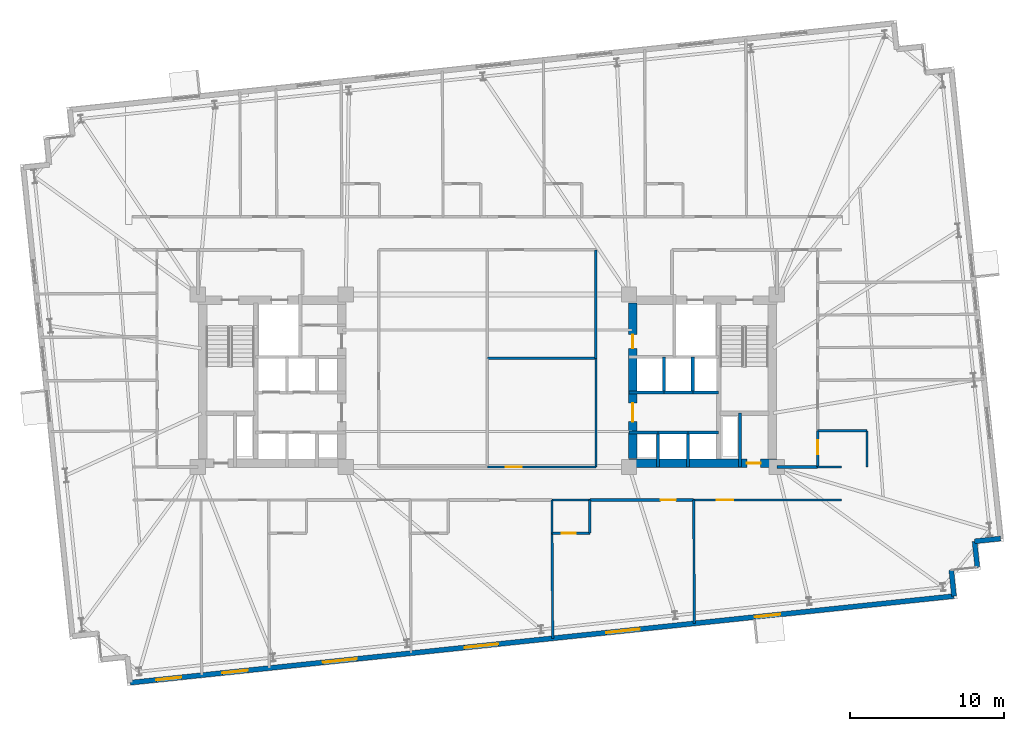
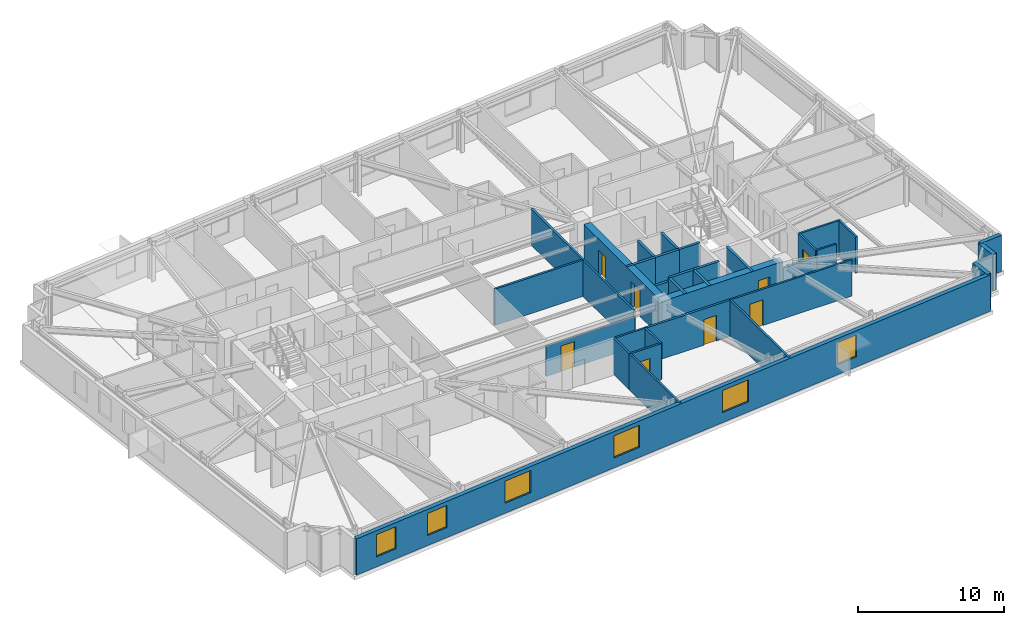
# One storey, part 14 of 19: 34 walls, 8 doors, 6 windows, 14 openings.
"""IFC4 building model written with IfcOpenShell, lengths in metres."""

from ifc_helpers import new_model, si_unit, direction, frame, frame_2d, origin, place, context, subcontext, project, spatial, rectangle, extrude, material, layer, layer_set, type_object, element, fill, save


model = new_model("IFC4")

# Units and contexts
model_context = context("Model", 3, precision=1e-05, world=origin(), true_north=direction((0.0, 1.0)))
body_context = subcontext(model_context, "Body", "Model", "MODEL_VIEW")
ifc_project = project(units=[si_unit("LENGTHUNIT", "METRE"), si_unit("AREAUNIT", "SQUARE_METRE"), si_unit("VOLUMEUNIT", "CUBIC_METRE"), si_unit("PLANEANGLEUNIT", "RADIAN"), si_unit("MASSUNIT", "GRAM", prefix="KILO")], contexts=[model_context])

# Site, building, storey
site_placement = place(None, origin())
site = spatial("IfcSite", under=ifc_project, at=site_placement, CompositionType="ELEMENT")
building_placement = place(site_placement, origin())
building = spatial("IfcBuilding", under=site, at=building_placement, Name="Qobustan Lattice House", CompositionType="ELEMENT")
storey_placement = place(building_placement, frame((0.0, 0.0, 82.35009765625)))
storey = spatial("IfcBuildingStorey", under=building, at=storey_placement, Name="L22", CompositionType="ELEMENT", Elevation=82.35009765625)

# Wall, opening, door
ifc_material_1 = material(Name="Concrete C60/75", Category="concrete")
ifc_layer_1 = layer(ifc_material_1, 0.56005859375)
ifc_layer_set_1 = layer_set([ifc_layer_1], Name="Concrete C60/75")
wall_type_1 = type_object("IfcWallType", Name="WAL-CORE-600", PredefinedType="SHEAR", material=ifc_layer_set_1)
wall_1_placement = place(storey_placement, frame((9.199951171875, -5.35009765625, 0.0), z_axis=(0.0, 0.0, 1.0), x_axis=(1.0, 0.0, 0.0)))
wall_1 = element("IfcWall", 1, at=wall_1_placement, inside=storey, type_object=wall_type_1, Name="L22 split-core shear wall CE-S", PredefinedType="SHEAR", context=body_context, shape_type="SweptSolid", body=[
    extrude(rectangle(XDim=9.60009765625, YDim=0.56005859375, at=frame_2d((4.800048828125, 0.0))), origin(), (0.0, 0.0, 1.0), 3.044921875),
])
opening_1_placement = place(wall_1_placement, frame((7.64990234375, 0.0, 0.0)))
opening_1 = element("IfcOpeningElement", 2, at=opening_1_placement, cuts=wall_1, Name="Opening RD-01", PredefinedType="OPENING", context=body_context, shape_type="SweptSolid", body=[
    extrude(rectangle(XDim=0.89990234375, YDim=2.10009765625, at=frame_2d((0.449951171875, 1.050048828125))), frame((0.0, 0.2900390625, 0.0), z_axis=(0.0, -1.0, 0.0), x_axis=(1.0, 0.0, 0.0)), (0.0, 0.0, 1.0), 0.580078125),
])
ifc_material_2 = material(Name="Persian walnut timber and steel frame door", Category="steel")
door_type_1 = type_object("IfcDoorType", Name="DOR-RISER-FD-900x2100", OperationType="NOTDEFINED", PredefinedType="DOOR", material=ifc_material_2)
door_1_placement = place(opening_1_placement, origin())
door_1 = element("IfcDoor", 3, at=door_1_placement, inside=storey, type_object=door_type_1, Name="L22 core service riser access door E", OperationType="SINGLE_SWING_RIGHT", OverallHeight=2.10009765625, OverallWidth=0.89990234375, PredefinedType="DOOR", context=body_context, shape_type="SweptSolid", body=[
    extrude(rectangle(XDim=0.89990234375, YDim=2.10009765625, at=frame_2d((0.449951171875, 1.050048828125))), frame((0.0, 0.02490234375, 0.0), z_axis=(0.0, -1.0, 0.0), x_axis=(1.0, 0.0, 0.0)), (0.0, 0.0, 1.0), 0.050048828125),
])
fill(opening_1, door_1)

# Wall, openings, doors
wall_2_placement = place(storey_placement, frame((9.449951171875, -5.050048828125, 0.0), z_axis=(0.0, 0.0, 1.0), x_axis=(0.0, 1.0, 0.0)))
wall_2 = element("IfcWall", 4, at=wall_2_placement, inside=storey, type_object=wall_type_1, Name="L22 split-core shear wall CE-W", PredefinedType="SHEAR", context=body_context, shape_type="SweptSolid", body=[
    extrude(rectangle(XDim=10.10009765625, YDim=0.56005859375, at=frame_2d((5.050048828125, 0.0))), origin(), (0.0, 0.0, 1.0), 3.044921875),
])
opening_2_placement = place(wall_2_placement, frame((7.14990234375, 0.0, 0.0)))
opening_2 = element("IfcOpeningElement", 5, at=opening_2_placement, cuts=wall_2, Name="Opening RD-01", PredefinedType="OPENING", context=body_context, shape_type="SweptSolid", body=[
    extrude(rectangle(XDim=0.89990234375, YDim=2.10009765625, at=frame_2d((0.449951171875, 1.050048828125))), frame((0.0, 0.2900390625, 0.0), z_axis=(0.0, -1.0, 0.0), x_axis=(1.0, 0.0, 0.0)), (0.0, 0.0, 1.0), 0.580078125),
])
opening_3_placement = place(wall_2_placement, frame((2.39990234375, 0.0, 0.0)))
opening_3 = element("IfcOpeningElement", 6, at=opening_3_placement, cuts=wall_2, Name="Opening FD-01", PredefinedType="OPENING", context=body_context, shape_type="SweptSolid", body=[
    extrude(rectangle(XDim=1.199951171875, YDim=2.14990234375, at=frame_2d((0.60009765625, 1.074951171875))), frame((0.0, 0.2900390625, 0.0), z_axis=(0.0, -1.0, 0.0), x_axis=(1.0, 0.0, 0.0)), (0.0, 0.0, 1.0), 0.580078125),
])
ifc_material_3 = material(Name="Persian walnut timber and steel frame door", Category="steel")
door_type_2 = type_object("IfcDoorType", Name="DOR-LOBBY-FD-1200x2150", OperationType="NOTDEFINED", PredefinedType="DOOR", material=ifc_material_3)
door_2_placement = place(opening_3_placement, origin())
door_2 = element("IfcDoor", 7, at=door_2_placement, inside=storey, type_object=door_type_2, Name="L22 East passenger lift lobby fire door", OperationType="SINGLE_SWING_LEFT", OverallHeight=2.14990234375, OverallWidth=1.199951171875, PredefinedType="DOOR", context=body_context, shape_type="SweptSolid", body=[
    extrude(rectangle(XDim=1.199951171875, YDim=2.14990234375, at=frame_2d((0.60009765625, 1.074951171875))), frame((0.0, 0.02490234375, 0.0), z_axis=(0.0, -1.0, 0.0), x_axis=(1.0, 0.0, 0.0)), (0.0, 0.0, 1.0), 0.050048828125),
])
fill(opening_3, door_2)
door_3_placement = place(opening_2_placement, origin())
door_3 = element("IfcDoor", 8, at=door_3_placement, inside=storey, type_object=door_type_1, Name="L22 Housekeeping linen store fire door", OperationType="SINGLE_SWING_RIGHT", OverallHeight=2.10009765625, OverallWidth=0.89990234375, PredefinedType="DOOR", context=body_context, shape_type="SweptSolid", body=[
    extrude(rectangle(XDim=0.89990234375, YDim=2.10009765625, at=frame_2d((0.449951171875, 1.050048828125))), frame((0.0, 0.02490234375, 0.0), z_axis=(0.0, -1.0, 0.0), x_axis=(1.0, 0.0, 0.0)), (0.0, 0.0, 1.0), 0.050048828125),
])
fill(opening_2, door_3)

# Walls
ifc_material_4 = material(Name="Precast concrete C40/50", Category="concrete")
ifc_layer_2 = layer(ifc_material_4, 0.320068359375)
ifc_layer_set_2 = layer_set([ifc_layer_2], Name="Precast concrete C40/50")
wall_type_2 = type_object("IfcWallType", Name="WAL-EXT-STONE-320", PredefinedType="SOLIDWALL", material=ifc_layer_set_2)
for number, where, z_axis, x_axis, name in (
    (9, (33.333251953125, -10.2490234375, 0.0), (0.0, 0.0, 1.0), (-0.994519608382, -0.104550220202, 0.0), "L22 exterior limestone-clad wall 16"),
    (10, (31.642578125, -10.4267578125, 0.0), (0.0, 0.0, 1.0), (0.104550220202, -0.994519608382, 0.0), "L22 exterior limestone-clad wall 17"),
):
    element("IfcWall", number, at=place(storey_placement, frame(where, z_axis=z_axis, x_axis=x_axis)), inside=storey, type_object=wall_type_2, Name=name, PredefinedType="SOLIDWALL", context=body_context, shape_type="SweptSolid", body=[
        extrude(rectangle(XDim=1.699951171875, YDim=0.320068359375, at=frame_2d((0.85009765625, 0.0))), origin(), (0.0, 0.0, 1.0), 3.044921875),
    ])
wall_3_placement = place(storey_placement, frame((30.129638671875, -12.295166015625, 0.0), z_axis=(0.0, 0.0, 1.0), x_axis=(0.104565154801, -0.994518038248, 0.0)))
element("IfcWall", 11, at=wall_3_placement, inside=storey, type_object=wall_type_2, Name="L22 exterior limestone-clad wall 19", PredefinedType="SOLIDWALL", context=body_context, shape_type="SweptSolid", body=[
    extrude(rectangle(XDim=1.69970703125, YDim=0.320068359375, at=frame_2d((0.849853515625, 0.0))), origin(), (0.0, 0.0, 1.0), 3.044921875),
])

# Wall, openings, windows
wall_4_placement = place(storey_placement, frame((30.307373046875, -13.985595703125, 0.0), z_axis=(0.0, 0.0, 1.0), x_axis=(-0.994521628355, -0.104531003701, 0.0)))
wall_4 = element("IfcWall", 12, at=wall_4_placement, inside=storey, type_object=wall_type_2, Name="L22 exterior limestone-clad wall 20", PredefinedType="SOLIDWALL", context=body_context, shape_type="SweptSolid", body=[
    extrude(rectangle(XDim=53.800048828125, YDim=0.320068359375, at=frame_2d((26.89990234375, 0.0))), origin(), (0.0, 0.0, 1.0), 3.044921875),
])
opening_4_placement = place(wall_4_placement, frame((11.343994140625, 0.0, 0.85009765625)))
opening_4 = element("IfcOpeningElement", 13, at=opening_4_placement, cuts=wall_4, Name="Opening WN-09", PredefinedType="OPENING", context=body_context, shape_type="SweptSolid", body=[
    extrude(rectangle(XDim=1.64990234375, YDim=1.85009765625, at=frame_2d((0.824951171875, 0.925048828125))), frame((0.0, 0.169921875, 0.0), z_axis=(0.0, -1.0, 0.0), x_axis=(1.0, 0.0, 0.0)), (0.0, 0.0, 1.0), 0.340087890625),
])
opening_5_placement = place(wall_4_placement, frame((20.51611328125, 0.0, 0.85009765625)))
opening_5 = element("IfcOpeningElement", 14, at=opening_5_placement, cuts=wall_4, Name="Opening WN-03", PredefinedType="OPENING", context=body_context, shape_type="SweptSolid", body=[
    extrude(rectangle(XDim=2.199951171875, YDim=1.85009765625, at=frame_2d((1.10009765625, 0.925048828125))), frame((0.0, 0.169921875, 0.0), z_axis=(0.0, -1.0, 0.0), x_axis=(1.0, 0.0, 0.0)), (0.0, 0.0, 1.0), 0.340087890625),
])
opening_6_placement = place(wall_4_placement, frame((29.762939453125, 0.0, 0.85009765625)))
opening_6 = element("IfcOpeningElement", 15, at=opening_6_placement, cuts=wall_4, Name="Opening WN-03", PredefinedType="OPENING", context=body_context, shape_type="SweptSolid", body=[
    extrude(rectangle(XDim=2.199951171875, YDim=1.85009765625, at=frame_2d((1.10009765625, 0.925048828125))), frame((0.0, 0.169921875, 0.0), z_axis=(0.0, -1.0, 0.0), x_axis=(1.0, 0.0, 0.0)), (0.0, 0.0, 1.0), 0.340087890625),
])
opening_7_placement = place(wall_4_placement, frame((39.009765625, 0.0, 0.85009765625)))
opening_7 = element("IfcOpeningElement", 16, at=opening_7_placement, cuts=wall_4, Name="Opening WN-03", PredefinedType="OPENING", context=body_context, shape_type="SweptSolid", body=[
    extrude(rectangle(XDim=2.199951171875, YDim=1.85009765625, at=frame_2d((1.10009765625, 0.925048828125))), frame((0.0, 0.169921875, 0.0), z_axis=(0.0, -1.0, 0.0), x_axis=(1.0, 0.0, 0.0)), (0.0, 0.0, 1.0), 0.340087890625),
])
opening_8_placement = place(wall_4_placement, frame((46.1298828125, 0.0, 0.85009765625)))
opening_8 = element("IfcOpeningElement", 17, at=opening_8_placement, cuts=wall_4, Name="Opening WN-09", PredefinedType="OPENING", context=body_context, shape_type="SweptSolid", body=[
    extrude(rectangle(XDim=1.64990234375, YDim=1.85009765625, at=frame_2d((0.824951171875, 0.925048828125))), frame((0.0, 0.169921875, 0.0), z_axis=(0.0, -1.0, 0.0), x_axis=(1.0, 0.0, 0.0)), (0.0, 0.0, 1.0), 0.340087890625),
])
opening_9_placement = place(wall_4_placement, frame((50.453125, 0.0, 0.85009765625)))
opening_9 = element("IfcOpeningElement", 18, at=opening_9_placement, cuts=wall_4, Name="Opening WN-09", PredefinedType="OPENING", context=body_context, shape_type="SweptSolid", body=[
    extrude(rectangle(XDim=1.64990234375, YDim=1.85009765625, at=frame_2d((0.824951171875, 0.925048828125))), frame((0.0, 0.169921875, 0.0), z_axis=(0.0, -1.0, 0.0), x_axis=(1.0, 0.0, 0.0)), (0.0, 0.0, 1.0), 0.340087890625),
])
ifc_material_5 = material(Name="Double-glazed low-E aluminium window", Category="aluminium")
window_type_1 = type_object("IfcWindowType", Name="WIN-STU-1650x1850", PartitioningType="SINGLE_PANEL", PredefinedType="WINDOW", material=ifc_material_5)
window_1_placement = place(opening_4_placement, origin())
window_1 = element("IfcWindow", 19, at=window_1_placement, inside=storey, type_object=window_type_1, Name="L22 Group study room window", OverallHeight=1.85009765625, OverallWidth=1.64990234375, PartitioningType="SINGLE_PANEL", PredefinedType="WINDOW", context=body_context, shape_type="SweptSolid", body=[
    extrude(rectangle(XDim=1.64990234375, YDim=1.85009765625, at=frame_2d((0.824951171875, 0.925048828125))), frame((0.0, 0.030029296875, 0.0), z_axis=(0.0, -1.0, 0.0), x_axis=(1.0, 0.0, 0.0)), (0.0, 0.0, 1.0), 0.06005859375),
])
fill(opening_4, window_1)
window_2_placement = place(opening_8_placement, origin())
window_2 = element("IfcWindow", 20, at=window_2_placement, inside=storey, type_object=window_type_1, Name="L22 Focus study room S1B window", OverallHeight=1.85009765625, OverallWidth=1.64990234375, PartitioningType="SINGLE_PANEL", PredefinedType="WINDOW", context=body_context, shape_type="SweptSolid", body=[
    extrude(rectangle(XDim=1.64990234375, YDim=1.85009765625, at=frame_2d((0.824951171875, 0.925048828125))), frame((0.0, 0.030029296875, 0.0), z_axis=(0.0, -1.0, 0.0), x_axis=(1.0, 0.0, 0.0)), (0.0, 0.0, 1.0), 0.06005859375),
])
fill(opening_8, window_2)
window_3_placement = place(opening_9_placement, origin())
window_3 = element("IfcWindow", 21, at=window_3_placement, inside=storey, type_object=window_type_1, Name="L22 Focus study room S1A window", OverallHeight=1.85009765625, OverallWidth=1.64990234375, PartitioningType="SINGLE_PANEL", PredefinedType="WINDOW", context=body_context, shape_type="SweptSolid", body=[
    extrude(rectangle(XDim=1.64990234375, YDim=1.85009765625, at=frame_2d((0.824951171875, 0.925048828125))), frame((0.0, 0.030029296875, 0.0), z_axis=(0.0, -1.0, 0.0), x_axis=(1.0, 0.0, 0.0)), (0.0, 0.0, 1.0), 0.06005859375),
])
fill(opening_9, window_3)
ifc_material_6 = material(Name="Double-glazed low-E aluminium window", Category="aluminium")
window_type_2 = type_object("IfcWindowType", Name="WIN-WIDE-2200x1850", PartitioningType="SINGLE_PANEL", PredefinedType="WINDOW", material=ifc_material_6)
window_4_placement = place(opening_5_placement, origin())
window_4 = element("IfcWindow", 22, at=window_4_placement, inside=storey, type_object=window_type_2, Name="L22 Kitchenette and studio apartment L22-S4 window", OverallHeight=1.85009765625, OverallWidth=2.199951171875, PartitioningType="SINGLE_PANEL", PredefinedType="WINDOW", context=body_context, shape_type="SweptSolid", body=[
    extrude(rectangle(XDim=2.199951171875, YDim=1.85009765625, at=frame_2d((1.10009765625, 0.925048828125))), frame((0.0, 0.030029296875, 0.0), z_axis=(0.0, -1.0, 0.0), x_axis=(1.0, 0.0, 0.0)), (0.0, 0.0, 1.0), 0.06005859375),
])
fill(opening_5, window_4)
window_5_placement = place(opening_6_placement, origin())
window_5 = element("IfcWindow", 23, at=window_5_placement, inside=storey, type_object=window_type_2, Name="L22 Kitchenette and studio apartment L22-S3 window", OverallHeight=1.85009765625, OverallWidth=2.199951171875, PartitioningType="SINGLE_PANEL", PredefinedType="WINDOW", context=body_context, shape_type="SweptSolid", body=[
    extrude(rectangle(XDim=2.199951171875, YDim=1.85009765625, at=frame_2d((1.10009765625, 0.925048828125))), frame((0.0, 0.030029296875, 0.0), z_axis=(0.0, -1.0, 0.0), x_axis=(1.0, 0.0, 0.0)), (0.0, 0.0, 1.0), 0.06005859375),
])
fill(opening_6, window_5)
window_6_placement = place(opening_7_placement, origin())
window_6 = element("IfcWindow", 24, at=window_6_placement, inside=storey, type_object=window_type_2, Name="L22 Kitchenette and studio apartment L22-S2 window", OverallHeight=1.85009765625, OverallWidth=2.199951171875, PartitioningType="SINGLE_PANEL", PredefinedType="WINDOW", context=body_context, shape_type="SweptSolid", body=[
    extrude(rectangle(XDim=2.199951171875, YDim=1.85009765625, at=frame_2d((1.10009765625, 0.925048828125))), frame((0.0, 0.030029296875, 0.0), z_axis=(0.0, -1.0, 0.0), x_axis=(1.0, 0.0, 0.0)), (0.0, 0.0, 1.0), 0.06005859375),
])
fill(opening_7, window_6)

# Wall
ifc_material_7 = material(Name="Gypsum fireboard acoustic partition", Category="gypsum")
ifc_layer_3 = layer(ifc_material_7, 0.179931640625)
ifc_layer_set_3 = layer_set([ifc_layer_3], Name="Gypsum fireboard acoustic partition")
wall_type_3 = type_object("IfcWallType", Name="WAL-FIRE-180", PredefinedType="PARTITIONING", material=ifc_layer_set_3)
wall_5_placement = place(storey_placement, frame((18.800048828125, -5.60009765625, 0.0), z_axis=(0.0, 0.0, 1.0), x_axis=(1.0, 0.0, 0.0)))
element("IfcWall", 25, at=wall_5_placement, inside=storey, type_object=wall_type_3, Name="L22 interior partition 65", PredefinedType="PARTITIONING", context=body_context, shape_type="SweptSolid", body=[
    extrude(rectangle(XDim=2.64990234375, YDim=0.179931640625, at=frame_2d((1.324951171875, 0.0))), origin(), (0.0, 0.0, 1.0), 2.52978515625),
])

# Wall, opening, door
wall_6_placement = place(storey_placement, frame((13.39990234375, -7.75, 0.0), z_axis=(0.0, 0.0, 1.0), x_axis=(-1.0, 0.0, 0.0)))
wall_6 = element("IfcWall", 26, at=wall_6_placement, inside=storey, type_object=wall_type_3, Name="L22 interior partition 68", PredefinedType="PARTITIONING", context=body_context, shape_type="SweptSolid", body=[
    extrude(rectangle(XDim=6.75, YDim=0.179931640625, at=frame_2d((3.375, 0.0))), origin(), (0.0, 0.0, 1.0), 3.044921875),
])
opening_10_placement = place(wall_6_placement, frame((1.15380859375, 0.0, 0.0)))
opening_10 = element("IfcOpeningElement", 27, at=opening_10_placement, cuts=wall_6, Name="Opening FD-02", PredefinedType="OPENING", context=body_context, shape_type="SweptSolid", body=[
    extrude(rectangle(XDim=1.0, YDim=2.14990234375, at=frame_2d((0.5, 1.074951171875))), frame((0.0, 0.099853515625, 0.0), z_axis=(0.0, -1.0, 0.0), x_axis=(1.0, 0.0, 0.0)), (0.0, 0.0, 1.0), 0.199951171875),
])
ifc_material_8 = material(Name="Persian walnut timber and steel frame door", Category="steel")
door_type_3 = type_object("IfcDoorType", Name="DOR-UNIT-FD-1000x2150", OperationType="NOTDEFINED", PredefinedType="DOOR", material=ifc_material_8)
door_4_placement = place(opening_10_placement, origin())
door_4 = element("IfcDoor", 28, at=door_4_placement, inside=storey, type_object=door_type_3, Name="L22 South-east floor corridor to Kitchenette and studio apartment L22-S4 door", OperationType="SINGLE_SWING_LEFT", OverallHeight=2.14990234375, OverallWidth=1.0, PredefinedType="DOOR", context=body_context, shape_type="SweptSolid", body=[
    extrude(rectangle(XDim=1.0, YDim=2.14990234375, at=frame_2d((0.5, 1.074951171875))), frame((0.0, 0.02490234375, 0.0), z_axis=(0.0, -1.0, 0.0), x_axis=(1.0, 0.0, 0.0)), (0.0, 0.0, 1.0), 0.050048828125),
])
fill(opening_10, door_4)

ifc_material_9 = material(Name="Acoustic twin-stud gypsum partition", Category="gypsum")
ifc_layer_4 = layer(ifc_material_9, 0.14990234375)
ifc_layer_set_4 = layer_set([ifc_layer_4], Name="Acoustic twin-stud gypsum partition")
wall_type_4 = type_object("IfcWallType", Name="WAL-PART-150", PredefinedType="PARTITIONING", material=ifc_layer_set_4)
wall_7_placement = place(storey_placement, frame((23.0, -7.75, 0.0), z_axis=(0.0, 0.0, 1.0), x_axis=(-1.0, 0.0, 0.0)))
wall_7 = element("IfcWall", 29, at=wall_7_placement, inside=storey, type_object=wall_type_4, Name="L22 interior partition 70", PredefinedType="PARTITIONING", context=body_context, shape_type="SweptSolid", body=[
    extrude(rectangle(XDim=9.60009765625, YDim=0.14990234375, at=frame_2d((4.800048828125, 0.0))), origin(), (0.0, 0.0, 1.0), 3.044921875),
])
opening_11_placement = place(wall_7_placement, frame((7.046142578125, 0.0, 0.0)))
opening_11 = element("IfcOpeningElement", 30, at=opening_11_placement, cuts=wall_7, Name="Opening ID-02", PredefinedType="OPENING", context=body_context, shape_type="SweptSolid", body=[
    extrude(rectangle(XDim=1.050048828125, YDim=2.14990234375, at=frame_2d((0.52490234375, 1.074951171875))), frame((0.0, 0.0849609375, 0.0), z_axis=(0.0, -1.0, 0.0), x_axis=(1.0, 0.0, 0.0)), (0.0, 0.0, 1.0), 0.169921875),
])
ifc_material_10 = material(Name="Persian walnut timber and steel frame door", Category="steel")
door_type_4 = type_object("IfcDoorType", Name="DOR-STUDY-1050x2150", OperationType="NOTDEFINED", PredefinedType="DOOR", material=ifc_material_10)
door_5_placement = place(opening_11_placement, origin())
door_5 = element("IfcDoor", 31, at=door_5_placement, inside=storey, type_object=door_type_4, Name="L22 South-east floor corridor to Group study room door", OperationType="SINGLE_SWING_RIGHT", OverallHeight=2.14990234375, OverallWidth=1.050048828125, PredefinedType="DOOR", context=body_context, shape_type="SweptSolid", body=[
    extrude(rectangle(XDim=1.050048828125, YDim=2.14990234375, at=frame_2d((0.52490234375, 1.074951171875))), frame((0.0, 0.02490234375, 0.0), z_axis=(0.0, -1.0, 0.0), x_axis=(1.0, 0.0, 0.0)), (0.0, 0.0, 1.0), 0.050048828125),
])
fill(opening_11, door_5)

wall_8_placement = place(storey_placement, frame((0.0, -5.60009765625, 0.0), z_axis=(0.0, 0.0, 1.0), x_axis=(1.0, 0.0, 0.0)))
wall_8 = element("IfcWall", 32, at=wall_8_placement, inside=storey, type_object=wall_type_4, Name="L22 interior partition 71", PredefinedType="PARTITIONING", context=body_context, shape_type="SweptSolid", body=[
    extrude(rectangle(XDim=7.050048828125, YDim=0.14990234375, at=frame_2d((3.52490234375, 0.0))), origin(), (0.0, 0.0, 1.0), 2.52978515625),
])
opening_12_placement = place(wall_8_placement, frame((1.18505859375, 0.0, 0.0)))
opening_12 = element("IfcOpeningElement", 33, at=opening_12_placement, cuts=wall_8, Name="Opening ID-02", PredefinedType="OPENING", context=body_context, shape_type="SweptSolid", body=[
    extrude(rectangle(XDim=1.050048828125, YDim=2.14990234375, at=frame_2d((0.52490234375, 1.074951171875))), frame((0.0, 0.0849609375, 0.0), z_axis=(0.0, -1.0, 0.0), x_axis=(1.0, 0.0, 0.0)), (0.0, 0.0, 1.0), 0.169921875),
])
door_6_placement = place(opening_12_placement, origin())
door_6 = element("IfcDoor", 34, at=door_6_placement, inside=storey, type_object=door_type_4, Name="L22 South-east floor corridor to Seminar breakout room door", OperationType="SINGLE_SWING_LEFT", OverallHeight=2.14990234375, OverallWidth=1.050048828125, PredefinedType="DOOR", context=body_context, shape_type="SweptSolid", body=[
    extrude(rectangle(XDim=1.050048828125, YDim=2.14990234375, at=frame_2d((0.52490234375, 1.074951171875))), frame((0.0, 0.02490234375, 0.0), z_axis=(0.0, -1.0, 0.0), x_axis=(1.0, 0.0, 0.0)), (0.0, 0.0, 1.0), 0.050048828125),
])
fill(opening_12, door_6)

# Walls
wall_9_placement = place(storey_placement, frame((7.050048828125, -5.60009765625, 0.0), z_axis=(0.0, 0.0, 1.0), x_axis=(0.0, 1.0, 0.0)))
element("IfcWall", 35, at=wall_9_placement, inside=storey, type_object=wall_type_4, Name="L22 interior partition 73", PredefinedType="PARTITIONING", context=body_context, shape_type="SweptSolid", body=[
    extrude(rectangle(XDim=7.050048828125, YDim=0.14990234375, at=frame_2d((3.52490234375, 0.0))), origin(), (0.0, 0.0, 1.0), 3.044921875),
])
wall_10_placement = place(storey_placement, frame((4.199951171875, -9.89990234375, 0.0), z_axis=(0.0, 0.0, 1.0), x_axis=(0.00643855591, -0.999979272284, 0.0)))
element("IfcWall", 36, at=wall_10_placement, inside=storey, type_object=wall_type_4, Name="L22 interior partition 124", PredefinedType="PARTITIONING", context=body_context, shape_type="SweptSolid", body=[
    extrude(rectangle(XDim=6.825439453125, YDim=0.14990234375, at=frame_2d((3.41259765625, 0.0))), origin(), (0.0, 0.0, 1.0), 3.044921875),
])
wall_11_placement = place(storey_placement, frame((13.39990234375, -7.75, 0.0), z_axis=(0.0, 0.0, 1.0), x_axis=(0.005487554946, -0.999984943257, 0.0)))
element("IfcWall", 37, at=wall_11_placement, inside=storey, type_object=wall_type_4, Name="L22 interior partition 128", PredefinedType="PARTITIONING", context=body_context, shape_type="SweptSolid", body=[
    extrude(rectangle(XDim=8.008056640625, YDim=0.14990234375, at=frame_2d((4.00390625, 0.0))), origin(), (0.0, 0.0, 1.0), 3.044921875),
])
ifc_material_11 = material(Name="High-mass acoustic twin-stud partition", Category="gypsum")
ifc_layer_5 = layer(ifc_material_11, 0.1650390625)
ifc_layer_set_5 = layer_set([ifc_layer_5], Name="High-mass acoustic twin-stud partition")
wall_type_5 = type_object("IfcWallType", Name="WAL-PART-165", PredefinedType="PARTITIONING", material=ifc_layer_set_5)
for number, where, z_axis, x_axis, name in (
    (38, (7.050048828125, 1.449951171875, 0.0), (0.0, 0.0, 1.0), (0.0, 1.0, 0.0), "L22 interior partition 74"),
    (39, (0.0, 1.449951171875, 0.0), (0.0, 0.0, 1.0), (1.0, 0.0, 0.0), "L22 interior partition 131"),
):
    element("IfcWall", number, at=place(storey_placement, frame(where, z_axis=z_axis, x_axis=x_axis)), inside=storey, type_object=wall_type_5, Name=name, PredefinedType="PARTITIONING", context=body_context, shape_type="SweptSolid", body=[
        extrude(rectangle(XDim=7.050048828125, YDim=0.1650390625, at=frame_2d((3.52490234375, 0.0))), origin(), (0.0, 0.0, 1.0), 3.044921875),
    ])
ifc_material_12 = material(Name="Concrete C40/50", Category="concrete")
ifc_layer_6 = layer(ifc_material_12, 0.199951171875)
ifc_layer_set_6 = layer_set([ifc_layer_6], Name="Concrete C40/50")
wall_type_6 = type_object("IfcWallType", Name="WAL-SHAFT-200", PredefinedType="PARTITIONING", material=ifc_layer_set_6)
wall_12_placement = place(storey_placement, frame((16.39990234375, -2.110107421875, 0.0), z_axis=(0.0, 0.0, 1.0), x_axis=(0.0, -1.0, 0.0)))
element("IfcWall", 40, at=wall_12_placement, inside=storey, type_object=wall_type_6, Name="L22 interior partition 20", PredefinedType="PARTITIONING", context=body_context, shape_type="SweptSolid", body=[
    extrude(rectangle(XDim=3.489990234375, YDim=0.199951171875, at=frame_2d((1.7451171875, 0.0))), origin(), (0.0, 0.0, 1.0), 3.044921875),
])
wall_13_placement = place(storey_placement, frame((9.199951171875, -3.35009765625, 0.0), z_axis=(0.0, 0.0, 1.0), x_axis=(1.0, 0.0, 0.0)))
element("IfcWall", 41, at=wall_13_placement, inside=storey, type_object=wall_type_6, Name="L22 interior partition 26", PredefinedType="PARTITIONING", context=body_context, shape_type="SweptSolid", body=[
    extrude(rectangle(XDim=1.880126953125, YDim=0.199951171875, at=frame_2d((0.93994140625, 0.0))), origin(), (0.0, 0.0, 1.0), 2.760009765625),
])
wall_14_placement = place(storey_placement, frame((11.080078125, -3.35009765625, 0.0), z_axis=(0.0, 0.0, 1.0), x_axis=(1.0, 0.0, 0.0)))
element("IfcWall", 42, at=wall_14_placement, inside=storey, type_object=wall_type_6, Name="L22 interior partition 27", PredefinedType="PARTITIONING", context=body_context, shape_type="SweptSolid", body=[
    extrude(rectangle(XDim=1.93994140625, YDim=0.199951171875, at=frame_2d((0.969970703125, 0.0))), origin(), (0.0, 0.0, 1.0), 3.044921875),
])
wall_15_placement = place(storey_placement, frame((13.02001953125, -3.35009765625, 0.0), z_axis=(0.0, 0.0, 1.0), x_axis=(1.0, 0.0, 0.0)))
element("IfcWall", 43, at=wall_15_placement, inside=storey, type_object=wall_type_6, Name="L22 interior partition 28", PredefinedType="PARTITIONING", context=body_context, shape_type="SweptSolid", body=[
    extrude(rectangle(XDim=2.0, YDim=0.199951171875, at=frame_2d((1.0, 0.0))), origin(), (0.0, 0.0, 1.0), 3.044921875),
])
wall_16_placement = place(storey_placement, frame((11.4599609375, -0.75, 0.0), z_axis=(0.0, 0.0, 1.0), x_axis=(-1.0, 0.0, 0.0)))
element("IfcWall", 44, at=wall_16_placement, inside=storey, type_object=wall_type_6, Name="L22 interior partition 29", PredefinedType="PARTITIONING", context=body_context, shape_type="SweptSolid", body=[
    extrude(rectangle(XDim=2.260009765625, YDim=0.199951171875, at=frame_2d((1.1298828125, 0.0))), origin(), (0.0, 0.0, 1.0), 3.044921875),
])
wall_17_placement = place(storey_placement, frame((13.340087890625, -0.75, 0.0), z_axis=(0.0, 0.0, 1.0), x_axis=(-1.0, 0.0, 0.0)))
element("IfcWall", 45, at=wall_17_placement, inside=storey, type_object=wall_type_6, Name="L22 interior partition 30", PredefinedType="PARTITIONING", context=body_context, shape_type="SweptSolid", body=[
    extrude(rectangle(XDim=1.880126953125, YDim=0.199951171875, at=frame_2d((0.93994140625, 0.0))), origin(), (0.0, 0.0, 1.0), 3.044921875),
])
wall_18_placement = place(storey_placement, frame((15.02001953125, -0.75, 0.0), z_axis=(0.0, 0.0, 1.0), x_axis=(-1.0, 0.0, 0.0)))
element("IfcWall", 46, at=wall_18_placement, inside=storey, type_object=wall_type_6, Name="L22 interior partition 31", PredefinedType="PARTITIONING", context=body_context, shape_type="SweptSolid", body=[
    extrude(rectangle(XDim=1.679931640625, YDim=0.199951171875, at=frame_2d((0.83984375, 0.0))), origin(), (0.0, 0.0, 1.0), 3.044921875),
])
for number, where, z_axis, x_axis, name in (
    (47, (11.080078125, -5.60009765625, 0.0), (0.0, 0.0, 1.0), (0.0, 1.0, 0.0), "L22 interior partition 33"),
    (48, (13.02001953125, -5.60009765625, 0.0), (0.0, 0.0, 1.0), (0.0, 1.0, 0.0), "L22 interior partition 34"),
):
    element("IfcWall", number, at=place(storey_placement, frame(where, z_axis=z_axis, x_axis=x_axis)), inside=storey, type_object=wall_type_6, Name=name, PredefinedType="PARTITIONING", context=body_context, shape_type="SweptSolid", body=[
        extrude(rectangle(XDim=2.25, YDim=0.199951171875, at=frame_2d((1.125, 0.0))), origin(), (0.0, 0.0, 1.0), 3.044921875),
    ])
for number, where, z_axis, x_axis, name in (
    (49, (11.4599609375, -0.75, 0.0), (0.0, 0.0, 1.0), (0.0, 1.0, 0.0), "L22 interior partition 35"),
    (50, (13.340087890625, -0.75, 0.0), (0.0, 0.0, 1.0), (0.0, 1.0, 0.0), "L22 interior partition 36"),
):
    element("IfcWall", number, at=place(storey_placement, frame(where, z_axis=z_axis, x_axis=x_axis)), inside=storey, type_object=wall_type_6, Name=name, PredefinedType="PARTITIONING", context=body_context, shape_type="SweptSolid", body=[
        extrude(rectangle(XDim=2.300048828125, YDim=0.199951171875, at=frame_2d((1.14990234375, 0.0))), origin(), (0.0, 0.0, 1.0), 3.044921875),
    ])
ifc_material_13 = material(Name="Moisture-resistant acoustic plumbing wall", Category="gypsum")
ifc_layer_7 = layer(ifc_material_13, 0.14990234375)
ifc_layer_set_7 = layer_set([ifc_layer_7], Name="Moisture-resistant acoustic plumbing wall")
wall_type_7 = type_object("IfcWallType", Name="WAL-WET-150", PredefinedType="PLUMBINGWALL", material=ifc_layer_set_7)
wall_19_placement = place(storey_placement, frame((21.449951171875, -5.60009765625, 0.0), z_axis=(0.0, 0.0, 1.0), x_axis=(1.0, 0.0, 0.0)))
element("IfcWall", 51, at=wall_19_placement, inside=storey, type_object=wall_type_7, Name="L22 interior partition 66", PredefinedType="PLUMBINGWALL", context=body_context, shape_type="SweptSolid", body=[
    extrude(rectangle(XDim=1.550048828125, YDim=0.14990234375, at=frame_2d((0.77490234375, 0.0))), origin(), (0.0, 0.0, 1.0), 3.044921875),
])
wall_20_placement = place(storey_placement, frame((6.64990234375, -7.75, 0.0), z_axis=(0.0, 0.0, 1.0), x_axis=(-1.0, 0.0, 0.0)))
element("IfcWall", 52, at=wall_20_placement, inside=storey, type_object=wall_type_7, Name="L22 interior partition 69", PredefinedType="PLUMBINGWALL", context=body_context, shape_type="SweptSolid", body=[
    extrude(rectangle(XDim=2.449951171875, YDim=0.14990234375, at=frame_2d((1.22509765625, 0.0))), origin(), (0.0, 0.0, 1.0), 3.044921875),
])

# Wall, opening, door
wall_21_placement = place(storey_placement, frame((21.449951171875, -3.25, 0.0), z_axis=(0.0, 0.0, 1.0), x_axis=(0.0, -1.0, 0.0)))
wall_21 = element("IfcWall", 53, at=wall_21_placement, inside=storey, type_object=wall_type_7, Name="L22 interior partition 84", PredefinedType="PLUMBINGWALL", context=body_context, shape_type="SweptSolid", body=[
    extrude(rectangle(XDim=2.35009765625, YDim=0.14990234375, at=frame_2d((1.175048828125, 0.0))), origin(), (0.0, 0.0, 1.0), 3.044921875),
])
opening_13_placement = place(wall_21_placement, frame((0.6162109375, 0.0, 0.0)))
opening_13 = element("IfcOpeningElement", 54, at=opening_13_placement, cuts=wall_21, Name="Opening WD-01", PredefinedType="OPENING", context=body_context, shape_type="SweptSolid", body=[
    extrude(rectangle(XDim=0.89990234375, YDim=2.10009765625, at=frame_2d((0.449951171875, 1.050048828125))), frame((0.0, 0.0849609375, 0.0), z_axis=(0.0, -1.0, 0.0), x_axis=(1.0, 0.0, 0.0)), (0.0, 0.0, 1.0), 0.169921875),
])
ifc_material_14 = material(Name="Persian walnut timber and steel frame door", Category="steel")
door_type_5 = type_object("IfcDoorType", Name="DOR-WET-900x2100", OperationType="NOTDEFINED", PredefinedType="DOOR", material=ifc_material_14)
door_7_placement = place(opening_13_placement, origin())
door_7 = element("IfcDoor", 55, at=door_7_placement, inside=storey, type_object=door_type_5, Name="L22 Residence entrance hall L22E to Shared bathroom L22E door", OperationType="SINGLE_SWING_RIGHT", OverallHeight=2.10009765625, OverallWidth=0.89990234375, PredefinedType="DOOR", context=body_context, shape_type="SweptSolid", body=[
    extrude(rectangle(XDim=0.89990234375, YDim=2.10009765625, at=frame_2d((0.449951171875, 1.050048828125))), frame((0.0, 0.02490234375, 0.0), z_axis=(0.0, -1.0, 0.0), x_axis=(1.0, 0.0, 0.0)), (0.0, 0.0, 1.0), 0.050048828125),
])
fill(opening_13, door_7)

# Walls
wall_22_placement = place(storey_placement, frame((21.449951171875, -3.25, 0.0), z_axis=(0.0, 0.0, 1.0), x_axis=(1.0, 0.0, 0.0)))
element("IfcWall", 56, at=wall_22_placement, inside=storey, type_object=wall_type_7, Name="L22 interior partition 90", PredefinedType="PLUMBINGWALL", context=body_context, shape_type="SweptSolid", body=[
    extrude(rectangle(XDim=3.199951171875, YDim=0.14990234375, at=frame_2d((1.60009765625, 0.0))), origin(), (0.0, 0.0, 1.0), 3.044921875),
])
wall_23_placement = place(storey_placement, frame((24.64990234375, -3.25, 0.0), z_axis=(0.0, 0.0, 1.0), x_axis=(0.0, -1.0, 0.0)))
element("IfcWall", 57, at=wall_23_placement, inside=storey, type_object=wall_type_7, Name="L22 interior partition 91", PredefinedType="PLUMBINGWALL", context=body_context, shape_type="SweptSolid", body=[
    extrude(rectangle(XDim=2.35009765625, YDim=0.14990234375, at=frame_2d((1.175048828125, 0.0))), origin(), (0.0, 0.0, 1.0), 3.044921875),
])
wall_24_placement = place(storey_placement, frame((4.199951171875, -7.75, 0.0), z_axis=(0.0, 0.0, 1.0), x_axis=(0.0, -1.0, 0.0)))
element("IfcWall", 58, at=wall_24_placement, inside=storey, type_object=wall_type_7, Name="L22 interior partition 125", PredefinedType="PLUMBINGWALL", context=body_context, shape_type="SweptSolid", body=[
    extrude(rectangle(XDim=2.14990234375, YDim=0.14990234375, at=frame_2d((1.074951171875, 0.0))), origin(), (0.0, 0.0, 1.0), 3.044921875),
])

# Wall, opening, door
wall_25_placement = place(storey_placement, frame((4.199951171875, -9.89990234375, 0.0), z_axis=(0.0, 0.0, 1.0), x_axis=(1.0, 0.0, 0.0)))
wall_25 = element("IfcWall", 59, at=wall_25_placement, inside=storey, type_object=wall_type_7, Name="L22 interior partition 126", PredefinedType="PLUMBINGWALL", context=body_context, shape_type="SweptSolid", body=[
    extrude(rectangle(XDim=2.449951171875, YDim=0.14990234375, at=frame_2d((1.22509765625, 0.0))), origin(), (0.0, 0.0, 1.0), 3.044921875),
])
opening_14_placement = place(wall_25_placement, frame((0.62890625, 0.0, 0.0)))
opening_14 = element("IfcOpeningElement", 60, at=opening_14_placement, cuts=wall_25, Name="Opening WD-01", PredefinedType="OPENING", context=body_context, shape_type="SweptSolid", body=[
    extrude(rectangle(XDim=0.89990234375, YDim=2.10009765625, at=frame_2d((0.449951171875, 1.050048828125))), frame((0.0, 0.0849609375, 0.0), z_axis=(0.0, -1.0, 0.0), x_axis=(1.0, 0.0, 0.0)), (0.0, 0.0, 1.0), 0.169921875),
])
door_8_placement = place(opening_14_placement, origin())
door_8 = element("IfcDoor", 61, at=door_8_placement, inside=storey, type_object=door_type_5, Name="L22 Kitchenette and studio apartment L22-S4 to En-suite bathroom L22-S4 door", OperationType="SINGLE_SWING_RIGHT", OverallHeight=2.10009765625, OverallWidth=0.89990234375, PredefinedType="DOOR", context=body_context, shape_type="SweptSolid", body=[
    extrude(rectangle(XDim=0.89990234375, YDim=2.10009765625, at=frame_2d((0.449951171875, 1.050048828125))), frame((0.0, 0.02490234375, 0.0), z_axis=(0.0, -1.0, 0.0), x_axis=(1.0, 0.0, 0.0)), (0.0, 0.0, 1.0), 0.050048828125),
])
fill(opening_14, door_8)

# Wall
wall_26_placement = place(storey_placement, frame((6.64990234375, -9.89990234375, 0.0), z_axis=(0.0, 0.0, 1.0), x_axis=(0.0, 1.0, 0.0)))
element("IfcWall", 62, at=wall_26_placement, inside=storey, type_object=wall_type_7, Name="L22 interior partition 127", PredefinedType="PLUMBINGWALL", context=body_context, shape_type="SweptSolid", body=[
    extrude(rectangle(XDim=2.14990234375, YDim=0.14990234375, at=frame_2d((1.074951171875, 0.0))), origin(), (0.0, 0.0, 1.0), 3.044921875),
])

save(model, "model.ifc")
